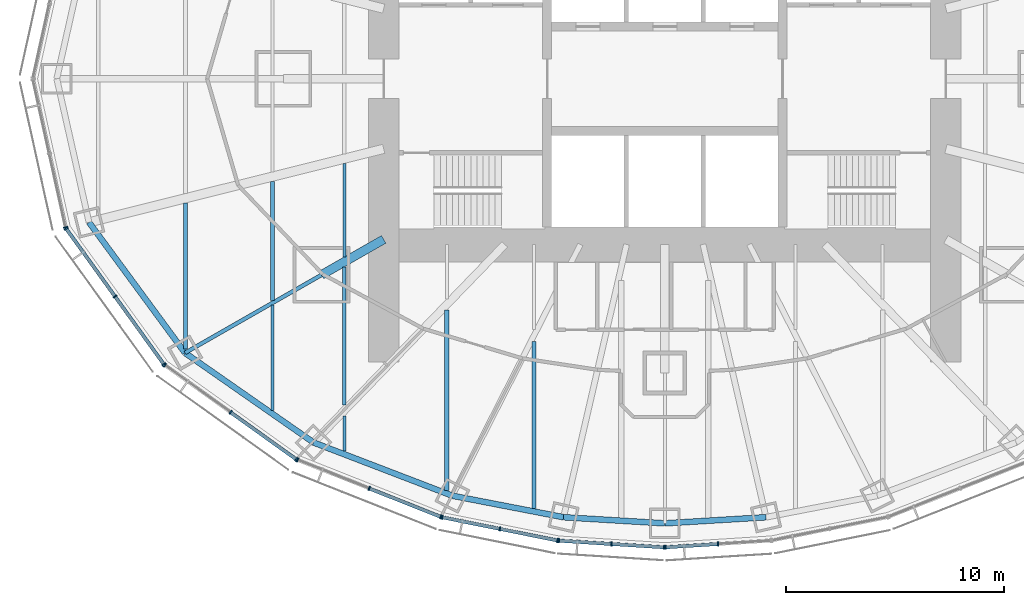
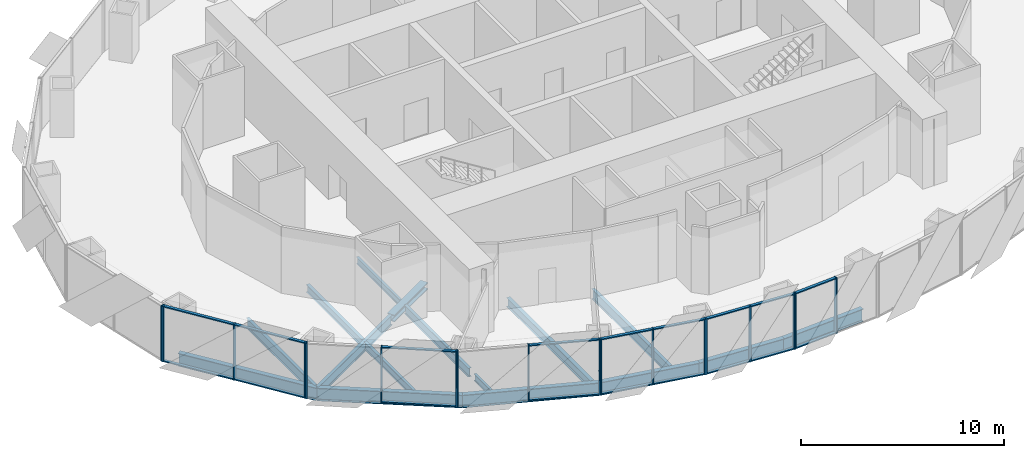
# One storey, part 2 of 18: 36 members, 16 beams, 7 elements without a shape of their own.
"""IFC4 building model written with IfcOpenShell, lengths in metres."""

from ifc_helpers import new_model, si_unit, direction, frame, origin, origin_2d, place, context, subcontext, project, spatial, rectangle, i_section, extrude, material, material_profile, profile_set, type_object, element, aggregate, save


model = new_model("IFC4")

# Units and contexts
model_context = context("Model", 3, precision=1e-05, world=origin(), true_north=direction((0.0, 1.0)))
body_context = subcontext(model_context, "Body", "Model", "MODEL_VIEW")
ifc_project = project(units=[si_unit("LENGTHUNIT", "METRE"), si_unit("AREAUNIT", "SQUARE_METRE"), si_unit("VOLUMEUNIT", "CUBIC_METRE"), si_unit("PLANEANGLEUNIT", "RADIAN"), si_unit("MASSUNIT", "GRAM", prefix="KILO")], contexts=[model_context])

# Site, building, storey
site_placement = place(None, origin())
site = spatial("IfcSite", under=ifc_project, at=site_placement, CompositionType="ELEMENT")
building_placement = place(site_placement, origin())
building = spatial("IfcBuilding", under=site, at=building_placement, Name="Lantaw Convention Tower", CompositionType="ELEMENT")
storey_placement = place(building_placement, frame((0.0, 0.0, 188.800048828125)))
storey = spatial("IfcBuildingStorey", under=building, at=storey_placement, Name="L44", CompositionType="ELEMENT", Elevation=188.800048828125)

# Beams
ifc_material_1 = material(Name="Steel ASTM A992", Category="steel")
ifc_material_profile_1 = material_profile(ifc_material_1, i_section(OverallWidth=0.2666015625, OverallDepth=0.76953125, WebThickness=0.015625, FlangeThickness=0.025390625, FilletRadius=0.0126953125, at=origin_2d()), Name="W30X132")
ifc_profile_set_1 = profile_set([ifc_material_profile_1], Name="Steel ASTM A992")
beam_type_1 = type_object("IfcBeamType", Name="Beam E W30X132", PredefinedType="SPANDREL", material=ifc_profile_set_1)
beam_1_placement = place(storey_placement, frame((-26.419921875, -6.587158203125, -0.534912109375), z_axis=(0.5923891972, -0.805651934176, 0.0), x_axis=(0.805651934176, 0.5923891972, 0.0)))
element("IfcBeam", 1, at=beam_1_placement, inside=storey, type_object=beam_type_1, Name="Edge beam 14", PredefinedType="SPANDREL", context=body_context, shape_type="SweptSolid", body=[
    extrude(i_section(OverallWidth=0.2666015625, OverallDepth=0.76953125, WebThickness=0.015625, FlangeThickness=0.025390625, FilletRadius=0.0126953125, at=origin_2d()), origin(), (0.0, 0.0, 1.0), 7.437744140625),
])
beam_2_placement = place(storey_placement, frame((-22.013916015625, -12.579345703125, -0.534912109375), z_axis=(0.820310765287, -0.57191804339, 0.0), x_axis=(0.57191804339, 0.820310765287, 0.0)))
element("IfcBeam", 2, at=beam_2_placement, inside=storey, type_object=beam_type_1, Name="Edge beam 15", PredefinedType="SPANDREL", context=body_context, shape_type="SweptSolid", body=[
    extrude(i_section(OverallWidth=0.2666015625, OverallDepth=0.76953125, WebThickness=0.015625, FlangeThickness=0.025390625, FilletRadius=0.0126953125, at=origin_2d()), origin(), (0.0, 0.0, 1.0), 7.187744140625),
])
beam_3_placement = place(storey_placement, frame((-16.11767578125, -16.690185546875, -0.534912109375), z_axis=(0.933691081977, -0.358079549033, 0.0), x_axis=(0.358079549033, 0.933691081977, 0.0)))
element("IfcBeam", 3, at=beam_3_placement, inside=storey, type_object=beam_type_1, Name="Edge beam 16", PredefinedType="SPANDREL", context=body_context, shape_type="SweptSolid", body=[
    extrude(i_section(OverallWidth=0.2666015625, OverallDepth=0.76953125, WebThickness=0.015625, FlangeThickness=0.025390625, FilletRadius=0.0126953125, at=origin_2d()), origin(), (0.0, 0.0, 1.0), 6.821533203125),
])
beam_4_placement = place(storey_placement, frame((-9.74853515625, -19.1328125, -0.534912109375), z_axis=(0.981796805654, -0.189934284446, 0.0), x_axis=(0.189934284446, 0.981796805654, 0.0)))
element("IfcBeam", 4, at=beam_4_placement, inside=storey, type_object=beam_type_1, Name="Edge beam 17", PredefinedType="SPANDREL", context=body_context, shape_type="SweptSolid", body=[
    extrude(i_section(OverallWidth=0.2666015625, OverallDepth=0.76953125, WebThickness=0.015625, FlangeThickness=0.025390625, FilletRadius=0.0126953125, at=origin_2d()), origin(), (0.0, 0.0, 1.0), 5.1982421875),
])
for number, where, z_axis, x_axis, name in (
    (5, (-4.64501953125, -20.1201171875, -0.534912109375), (0.998190892054, -0.06012439621, 0.0), (0.06012439621, 0.998190892054, 0.0), "Edge beam 18"),
    (6, (0.0, -20.39990234375, -0.534912109375), (0.998190892054, 0.06012439621, 0.0), (-0.06012439621, 0.998190892054, 0.0), "Edge beam 19"),
):
    element("IfcBeam", number, at=place(storey_placement, frame(where, z_axis=z_axis, x_axis=x_axis)), inside=storey, type_object=beam_type_1, Name=name, PredefinedType="SPANDREL", context=body_context, shape_type="SweptSolid", body=[
        extrude(i_section(OverallWidth=0.2666015625, OverallDepth=0.76953125, WebThickness=0.015625, FlangeThickness=0.025390625, FilletRadius=0.0126953125, at=origin_2d()), origin(), (0.0, 0.0, 1.0), 4.6533203125),
    ])
ifc_material_profile_2 = material_profile(ifc_material_1, i_section(OverallWidth=0.177978515625, OverallDepth=0.599365234375, WebThickness=0.010009765625, FlangeThickness=0.012939453125, FilletRadius=0.012939453125, at=origin_2d()), Name="W24X55")
ifc_profile_set_2 = profile_set([ifc_material_profile_2], Name="Steel ASTM A992")
beam_type_2 = type_object("IfcBeamType", Name="Beam G W24X55", PredefinedType="BEAM", material=ifc_profile_set_2)
beam_5_placement = place(storey_placement, frame((-15.75, -9.0, -0.44970703125), z_axis=(-0.868245224608, -0.496135293993, 0.0), x_axis=(0.496135293993, -0.868245224608, 0.0)))
element("IfcBeam", 7, at=beam_5_placement, inside=storey, type_object=beam_type_2, Name="Floor girder on ray 15", PredefinedType="BEAM", context=body_context, shape_type="SweptSolid", body=[
    extrude(i_section(OverallWidth=0.177978515625, OverallDepth=0.599365234375, WebThickness=0.010009765625, FlangeThickness=0.012939453125, FilletRadius=0.012939453125, at=origin_2d()), origin(), (0.0, 0.0, 1.0), 7.21435546875),
])
ifc_material_profile_3 = material_profile(ifc_material_1, i_section(OverallWidth=0.40380859375, OverallDepth=0.406494140625, WebThickness=0.027099609375, FlangeThickness=0.043701171875, FilletRadius=0.01513671875, at=origin_2d()), Name="W14X233")
ifc_profile_set_3 = profile_set([ifc_material_profile_3], Name="Steel ASTM A992")
beam_type_3 = type_object("IfcBeamType", Name="Beam GM W14X233", PredefinedType="BEAM", material=ifc_profile_set_3)
beam_6_placement = place(storey_placement, frame((-12.89990234375, -7.371337890625, -0.353271484375), z_axis=(-0.868238565244, -0.496146947811, 0.0), x_axis=(0.496146947811, -0.868238565244, 0.0)))
element("IfcBeam", 8, at=beam_6_placement, inside=storey, type_object=beam_type_3, Name="Core link beam on ray 15", PredefinedType="BEAM", context=body_context, shape_type="SweptSolid", body=[
    extrude(i_section(OverallWidth=0.40380859375, OverallDepth=0.406494140625, WebThickness=0.027099609375, FlangeThickness=0.043701171875, FilletRadius=0.01513671875, at=origin_2d()), origin(), (0.0, 0.0, 1.0), 3.28271484375),
])
ifc_material_profile_4 = material_profile(ifc_material_1, i_section(OverallWidth=0.140380859375, OverallDepth=0.40380859375, WebThickness=0.007080078125, FlangeThickness=0.01123046875, FilletRadius=0.01025390625, at=origin_2d()), Name="W16X31")
ifc_profile_set_4 = profile_set([ifc_material_profile_4], Name="Steel ASTM A992")
beam_type_4 = type_object("IfcBeamType", Name="Beam J W16X31", PredefinedType="JOIST", material=ifc_profile_set_4)
beam_7_placement = place(storey_placement, frame((-14.699951171875, -17.091064453125, -0.35205078125), z_axis=(0.0, 1.0, 0.0), x_axis=(-1.0, 0.0, 0.0)))
element("IfcBeam", 9, at=beam_7_placement, inside=storey, type_object=beam_type_4, Name="Floor joist", PredefinedType="JOIST", context=body_context, shape_type="SweptSolid", body=[
    extrude(i_section(OverallWidth=0.140380859375, OverallDepth=0.40380859375, WebThickness=0.007080078125, FlangeThickness=0.01123046875, FilletRadius=0.01025390625, at=origin_2d()), origin(), (0.0, 0.0, 1.0), 1.609130859375),
])
beam_8_placement = place(storey_placement, frame((-14.699951171875, -8.16748046875, -0.35205078125), z_axis=(0.0, 1.0, 0.0), x_axis=(-1.0, 0.0, 0.0)))
element("IfcBeam", 10, at=beam_8_placement, inside=storey, type_object=beam_type_4, Name="Floor joist", PredefinedType="JOIST", context=body_context, shape_type="SweptSolid", body=[
    extrude(i_section(OverallWidth=0.140380859375, OverallDepth=0.40380859375, WebThickness=0.007080078125, FlangeThickness=0.01123046875, FilletRadius=0.01025390625, at=origin_2d()), origin(), (0.0, 0.0, 1.0), 4.28515625),
])
ifc_material_profile_5 = material_profile(ifc_material_1, i_section(OverallWidth=0.15234375, OverallDepth=0.449462890625, WebThickness=0.007568359375, FlangeThickness=0.0107421875, FilletRadius=0.01025390625, at=origin_2d()), Name="W18X35")
ifc_profile_set_5 = profile_set([ifc_material_profile_5], Name="Steel ASTM A992")
beam_type_5 = type_object("IfcBeamType", Name="Beam J W18X35", PredefinedType="JOIST", material=ifc_profile_set_5)
beam_9_placement = place(storey_placement, frame((-18.0, -15.21533203125, -0.374755859375), z_axis=(0.0, 1.0, 0.0), x_axis=(-1.0, 0.0, 0.0)))
element("IfcBeam", 11, at=beam_9_placement, inside=storey, type_object=beam_type_5, Name="Floor joist", PredefinedType="JOIST", context=body_context, shape_type="SweptSolid", body=[
    extrude(i_section(OverallWidth=0.15234375, OverallDepth=0.449462890625, WebThickness=0.007568359375, FlangeThickness=0.0107421875, FilletRadius=0.01025390625, at=origin_2d()), origin(), (0.0, 0.0, 1.0), 4.8271484375),
])
ifc_material_profile_6 = material_profile(ifc_material_1, i_section(OverallWidth=0.1904296875, OverallDepth=0.457275390625, WebThickness=0.009033203125, FlangeThickness=0.014404296875, FilletRadius=0.01025390625, at=origin_2d()), Name="W18X50")
ifc_profile_set_6 = profile_set([ifc_material_profile_6], Name="Steel ASTM A992")
beam_type_6 = type_object("IfcBeamType", Name="Beam J W18X50", PredefinedType="JOIST", material=ifc_profile_set_6)
beam_10_placement = place(storey_placement, frame((-18.0, -10.18310546875, -0.378662109375), z_axis=(0.0, 1.0, 0.0), x_axis=(-1.0, 0.0, 0.0)))
element("IfcBeam", 12, at=beam_10_placement, inside=storey, type_object=beam_type_6, Name="Floor joist", PredefinedType="JOIST", context=body_context, shape_type="SweptSolid", body=[
    extrude(i_section(OverallWidth=0.1904296875, OverallDepth=0.457275390625, WebThickness=0.009033203125, FlangeThickness=0.014404296875, FilletRadius=0.01025390625, at=origin_2d()), origin(), (0.0, 0.0, 1.0), 5.47802734375),
])
ifc_material_profile_7 = material_profile(ifc_material_1, i_section(OverallWidth=0.1650390625, OverallDepth=0.52587890625, WebThickness=0.0087890625, FlangeThickness=0.011474609375, FilletRadius=0.0126953125, at=origin_2d()), Name="W21X44")
ifc_profile_set_7 = profile_set([ifc_material_profile_7], Name="Steel ASTM A992")
beam_type_7 = type_object("IfcBeamType", Name="Beam J W21X44", PredefinedType="JOIST", material=ifc_profile_set_7)
beam_11_placement = place(storey_placement, frame((-14.699951171875, -14.962646484375, -0.412841796875), z_axis=(0.0, 1.0, 0.0), x_axis=(-1.0, 0.0, 0.0)))
element("IfcBeam", 13, at=beam_11_placement, inside=storey, type_object=beam_type_7, Name="Floor joist", PredefinedType="JOIST", context=body_context, shape_type="SweptSolid", body=[
    extrude(i_section(OverallWidth=0.1650390625, OverallDepth=0.52587890625, WebThickness=0.0087890625, FlangeThickness=0.011474609375, FilletRadius=0.0126953125, at=origin_2d()), origin(), (0.0, 0.0, 1.0), 6.330078125),
])
ifc_material_profile_8 = material_profile(ifc_material_1, i_section(OverallWidth=0.2099609375, OverallDepth=0.535888671875, WebThickness=0.010986328125, FlangeThickness=0.017333984375, FilletRadius=0.012939453125, at=origin_2d()), Name="W21X68")
ifc_profile_set_8 = profile_set([ifc_material_profile_8], Name="Steel ASTM A992")
beam_type_8 = type_object("IfcBeamType", Name="Beam J W21X68", PredefinedType="JOIST", material=ifc_profile_set_8)
beam_12_placement = place(storey_placement, frame((-10.0, -18.8935546875, -0.41796875), z_axis=(0.0, 1.0, 0.0), x_axis=(-1.0, 0.0, 0.0)))
element("IfcBeam", 14, at=beam_12_placement, inside=storey, type_object=beam_type_8, Name="Floor joist", PredefinedType="JOIST", context=body_context, shape_type="SweptSolid", body=[
    extrude(i_section(OverallWidth=0.2099609375, OverallDepth=0.535888671875, WebThickness=0.010986328125, FlangeThickness=0.017333984375, FilletRadius=0.012939453125, at=origin_2d()), origin(), (0.0, 0.0, 1.0), 8.278564453125),
])
ifc_material_profile_9 = material_profile(ifc_material_1, i_section(OverallWidth=0.177978515625, OverallDepth=0.599365234375, WebThickness=0.010009765625, FlangeThickness=0.012939453125, FilletRadius=0.012939453125, at=origin_2d()), Name="W24X55")
ifc_profile_set_9 = profile_set([ifc_material_profile_9], Name="Steel ASTM A992")
beam_type_9 = type_object("IfcBeamType", Name="Beam J W24X55", PredefinedType="JOIST", material=ifc_profile_set_9)
beam_13_placement = place(storey_placement, frame((-22.0, -12.408935546875, -0.44970703125), z_axis=(0.0, 1.0, 0.0), x_axis=(-1.0, 0.0, 0.0)))
element("IfcBeam", 15, at=beam_13_placement, inside=storey, type_object=beam_type_9, Name="Floor joist", PredefinedType="JOIST", context=body_context, shape_type="SweptSolid", body=[
    extrude(i_section(OverallWidth=0.177978515625, OverallDepth=0.599365234375, WebThickness=0.010009765625, FlangeThickness=0.012939453125, FilletRadius=0.012939453125, at=origin_2d()), origin(), (0.0, 0.0, 1.0), 6.70654296875),
])
beam_14_placement = place(storey_placement, frame((-6.0, -19.72216796875, -0.44970703125), z_axis=(0.0, 1.0, 0.0), x_axis=(-1.0, 0.0, 0.0)))
element("IfcBeam", 16, at=beam_14_placement, inside=storey, type_object=beam_type_9, Name="Floor joist", PredefinedType="JOIST", context=body_context, shape_type="SweptSolid", body=[
    extrude(i_section(OverallWidth=0.177978515625, OverallDepth=0.599365234375, WebThickness=0.010009765625, FlangeThickness=0.012939453125, FilletRadius=0.012939453125, at=origin_2d()), origin(), (0.0, 0.0, 1.0), 7.666748046875),
])

# Curtain wall, member
ifc_material_2 = material(Name="Aluminium framed curtain wall", Category="aluminium")
curtain_wall_type = type_object("IfcCurtainWallType", Name="Office curtain wall low rise, pale aluminium", PredefinedType="USERDEFINED", material=ifc_material_2)
curtain_wall_1_placement = place(storey_placement, origin())
curtain_wall_1 = element("IfcCurtainWall", 17, at=curtain_wall_1_placement, inside=storey, type_object=curtain_wall_type, Name="Office curtain wall low rise, pale aluminium L44", ObjectType="UNITISED CURTAIN WALL", PredefinedType="USERDEFINED")
ifc_material_3 = material(Name="Aluminium 6063-T6", Category="aluminium")
ifc_material_profile_10 = material_profile(ifc_material_3, rectangle(XDim=0.199951171875, YDim=0.06494140625, at=origin_2d()), Name="CW-O1 mullion 65x200")
ifc_profile_set_10 = profile_set([ifc_material_profile_10], Name="Aluminium 6063-T6")
member_type_1 = type_object("IfcMemberType", Name="CW-O1 mullion 65x200", PredefinedType="MULLION", material=ifc_profile_set_10)
member_1_placement = place(storey_placement, frame((-27.494140625, -6.821533203125, -0.150146484375), z_axis=(0.0, 0.0, 1.0), x_axis=(0.9764936509, 0.215546166174, 0.0)))
member_1 = element("IfcMember", 18, at=member_1_placement, type_object=member_type_1, Name="CW-O1 mullion 3", PredefinedType="MULLION", context=body_context, shape_type="SweptSolid", body=[
    extrude(rectangle(XDim=0.199951171875, YDim=0.06494140625, at=origin_2d()), origin(), (0.0, 0.0, 1.0), 3.35009765625),
])
aggregate(curtain_wall_1, [member_1])

# Curtain wall, members
curtain_wall_2_placement = place(storey_placement, origin())
curtain_wall_2 = element("IfcCurtainWall", 19, at=curtain_wall_2_placement, inside=storey, type_object=curtain_wall_type, Name="Office curtain wall low rise, pale aluminium L44", ObjectType="UNITISED CURTAIN WALL", PredefinedType="USERDEFINED")
member_2_placement = place(storey_placement, frame((-27.46826171875, -6.879638671875, -0.150146484375), z_axis=(0.0, 0.0, 1.0), x_axis=(0.811384633629, 0.584512597221, 0.0)))
member_2 = element("IfcMember", 20, at=member_2_placement, type_object=member_type_1, Name="CW-O1 mullion 1", PredefinedType="MULLION", context=body_context, shape_type="SweptSolid", body=[
    extrude(rectangle(XDim=0.199951171875, YDim=0.06494140625, at=origin_2d()), origin(), (0.0, 0.0, 1.0), 3.35009765625),
])
member_3_placement = place(storey_placement, frame((-25.22802734375, -9.9892578125, -0.150146484375), z_axis=(0.0, 0.0, 1.0), x_axis=(0.811384633629, 0.584512597221, 0.0)))
member_3 = element("IfcMember", 21, at=member_3_placement, type_object=member_type_1, Name="CW-O1 mullion 2", PredefinedType="MULLION", context=body_context, shape_type="SweptSolid", body=[
    extrude(rectangle(XDim=0.199951171875, YDim=0.06494140625, at=origin_2d()), origin(), (0.0, 0.0, 1.0), 3.35009765625),
])
member_4_placement = place(storey_placement, frame((-22.988037109375, -13.098876953125, -0.150146484375), z_axis=(0.0, 0.0, 1.0), x_axis=(0.811384633629, 0.584512597221, 0.0)))
member_4 = element("IfcMember", 22, at=member_4_placement, type_object=member_type_1, Name="CW-O1 mullion 3", PredefinedType="MULLION", context=body_context, shape_type="SweptSolid", body=[
    extrude(rectangle(XDim=0.199951171875, YDim=0.06494140625, at=origin_2d()), origin(), (0.0, 0.0, 1.0), 3.35009765625),
])

curtain_wall_3_placement = place(storey_placement, origin())
curtain_wall_3 = element("IfcCurtainWall", 23, at=curtain_wall_3_placement, inside=storey, type_object=curtain_wall_type, Name="Office curtain wall low rise, pale aluminium L44", ObjectType="UNITISED CURTAIN WALL", PredefinedType="USERDEFINED")
member_5_placement = place(storey_placement, frame((-22.942626953125, -13.14404296875, -0.150146484375), z_axis=(0.0, 0.0, 1.0), x_axis=(0.581972695693, 0.813208325995, 0.0)))
member_5 = element("IfcMember", 24, at=member_5_placement, type_object=member_type_1, Name="CW-O1 mullion 1", PredefinedType="MULLION", context=body_context, shape_type="SweptSolid", body=[
    extrude(rectangle(XDim=0.199951171875, YDim=0.06494140625, at=origin_2d()), origin(), (0.0, 0.0, 1.0), 3.35009765625),
])
member_6_placement = place(storey_placement, frame((-19.92529296875, -15.303466796875, -0.150146484375), z_axis=(0.0, 0.0, 1.0), x_axis=(0.581972695693, 0.813208325995, 0.0)))
member_6 = element("IfcMember", 25, at=member_6_placement, type_object=member_type_1, Name="CW-O1 mullion 2", PredefinedType="MULLION", context=body_context, shape_type="SweptSolid", body=[
    extrude(rectangle(XDim=0.199951171875, YDim=0.06494140625, at=origin_2d()), origin(), (0.0, 0.0, 1.0), 3.35009765625),
])
member_7_placement = place(storey_placement, frame((-16.908203125, -17.462646484375, -0.150146484375), z_axis=(0.0, 0.0, 1.0), x_axis=(0.581972695693, 0.813208325995, 0.0)))
member_7 = element("IfcMember", 26, at=member_7_placement, type_object=member_type_1, Name="CW-O1 mullion 3", PredefinedType="MULLION", context=body_context, shape_type="SweptSolid", body=[
    extrude(rectangle(XDim=0.199951171875, YDim=0.06494140625, at=origin_2d()), origin(), (0.0, 0.0, 1.0), 3.35009765625),
])

curtain_wall_4_placement = place(storey_placement, origin())
curtain_wall_4 = element("IfcCurtainWall", 27, at=curtain_wall_4_placement, inside=storey, type_object=curtain_wall_type, Name="Office curtain wall low rise, pale aluminium L44", ObjectType="UNITISED CURTAIN WALL", PredefinedType="USERDEFINED")
member_8_placement = place(storey_placement, frame((-16.8515625, -17.49365234375, -0.150146484375), z_axis=(0.0, 0.0, 1.0), x_axis=(0.368701907483, 0.929547687544, 0.0)))
member_8 = element("IfcMember", 28, at=member_8_placement, type_object=member_type_1, Name="CW-O1 mullion 1", PredefinedType="MULLION", context=body_context, shape_type="SweptSolid", body=[
    extrude(rectangle(XDim=0.199951171875, YDim=0.06494140625, at=origin_2d()), origin(), (0.0, 0.0, 1.0), 3.35009765625),
])
member_9_placement = place(storey_placement, frame((-13.56494140625, -18.797119140625, -0.150146484375), z_axis=(0.0, 0.0, 1.0), x_axis=(0.368701907483, 0.929547687544, 0.0)))
member_9 = element("IfcMember", 29, at=member_9_placement, type_object=member_type_1, Name="CW-O1 mullion 2", PredefinedType="MULLION", context=body_context, shape_type="SweptSolid", body=[
    extrude(rectangle(XDim=0.199951171875, YDim=0.06494140625, at=origin_2d()), origin(), (0.0, 0.0, 1.0), 3.35009765625),
])
member_10_placement = place(storey_placement, frame((-10.2783203125, -20.100830078125, -0.150146484375), z_axis=(0.0, 0.0, 1.0), x_axis=(0.368701907483, 0.929547687544, 0.0)))
member_10 = element("IfcMember", 30, at=member_10_placement, type_object=member_type_1, Name="CW-O1 mullion 3", PredefinedType="MULLION", context=body_context, shape_type="SweptSolid", body=[
    extrude(rectangle(XDim=0.199951171875, YDim=0.06494140625, at=origin_2d()), origin(), (0.0, 0.0, 1.0), 3.35009765625),
])

curtain_wall_5_placement = place(storey_placement, origin())
curtain_wall_5 = element("IfcCurtainWall", 31, at=curtain_wall_5_placement, inside=storey, type_object=curtain_wall_type, Name="Office curtain wall low rise, pale aluminium L44", ObjectType="UNITISED CURTAIN WALL", PredefinedType="USERDEFINED")
member_11_placement = place(storey_placement, frame((-10.216064453125, -20.119140625, -0.150146484375), z_axis=(0.0, 0.0, 1.0), x_axis=(0.197506809659, 0.980301514912, 0.0)))
member_11 = element("IfcMember", 32, at=member_11_placement, type_object=member_type_1, Name="CW-O1 mullion 1", PredefinedType="MULLION", context=body_context, shape_type="SweptSolid", body=[
    extrude(rectangle(XDim=0.199951171875, YDim=0.06494140625, at=origin_2d()), origin(), (0.0, 0.0, 1.0), 3.35009765625),
])
member_12_placement = place(storey_placement, frame((-7.5703125, -20.65234375, -0.150146484375), z_axis=(0.0, 0.0, 1.0), x_axis=(0.197506809659, 0.980301514912, 0.0)))
member_12 = element("IfcMember", 33, at=member_12_placement, type_object=member_type_1, Name="CW-O1 mullion 2", PredefinedType="MULLION", context=body_context, shape_type="SweptSolid", body=[
    extrude(rectangle(XDim=0.199951171875, YDim=0.06494140625, at=origin_2d()), origin(), (0.0, 0.0, 1.0), 3.35009765625),
])
member_13_placement = place(storey_placement, frame((-4.92431640625, -21.185302734375, -0.150146484375), z_axis=(0.0, 0.0, 1.0), x_axis=(0.197506809659, 0.980301514912, 0.0)))
member_13 = element("IfcMember", 34, at=member_13_placement, type_object=member_type_1, Name="CW-O1 mullion 3", PredefinedType="MULLION", context=body_context, shape_type="SweptSolid", body=[
    extrude(rectangle(XDim=0.199951171875, YDim=0.06494140625, at=origin_2d()), origin(), (0.0, 0.0, 1.0), 3.35009765625),
])

curtain_wall_6_placement = place(storey_placement, origin())
curtain_wall_6 = element("IfcCurtainWall", 35, at=curtain_wall_6_placement, inside=storey, type_object=curtain_wall_type, Name="Office curtain wall low rise, pale aluminium L44", ObjectType="UNITISED CURTAIN WALL", PredefinedType="USERDEFINED")
member_14_placement = place(storey_placement, frame((-4.860107421875, -21.19384765625, -0.150146484375), z_axis=(0.0, 0.0, 1.0), x_axis=(0.062865059466, 0.998022035978, 0.0)))
member_14 = element("IfcMember", 36, at=member_14_placement, type_object=member_type_1, Name="CW-O1 mullion 1", PredefinedType="MULLION", context=body_context, shape_type="SweptSolid", body=[
    extrude(rectangle(XDim=0.199951171875, YDim=0.06494140625, at=origin_2d()), origin(), (0.0, 0.0, 1.0), 3.35009765625),
])
member_15_placement = place(storey_placement, frame((-2.4462890625, -21.345947265625, -0.150146484375), z_axis=(0.0, 0.0, 1.0), x_axis=(0.062865059466, 0.998022035978, 0.0)))
member_15 = element("IfcMember", 37, at=member_15_placement, type_object=member_type_1, Name="CW-O1 mullion 2", PredefinedType="MULLION", context=body_context, shape_type="SweptSolid", body=[
    extrude(rectangle(XDim=0.199951171875, YDim=0.06494140625, at=origin_2d()), origin(), (0.0, 0.0, 1.0), 3.35009765625),
])
member_16_placement = place(storey_placement, frame((-0.032470703125, -21.498046875, -0.150146484375), z_axis=(0.0, 0.0, 1.0), x_axis=(0.062865059466, 0.998022035978, 0.0)))
member_16 = element("IfcMember", 38, at=member_16_placement, type_object=member_type_1, Name="CW-O1 mullion 3", PredefinedType="MULLION", context=body_context, shape_type="SweptSolid", body=[
    extrude(rectangle(XDim=0.199951171875, YDim=0.06494140625, at=origin_2d()), origin(), (0.0, 0.0, 1.0), 3.35009765625),
])

curtain_wall_7_placement = place(storey_placement, origin())
curtain_wall_7 = element("IfcCurtainWall", 39, at=curtain_wall_7_placement, inside=storey, type_object=curtain_wall_type, Name="Office curtain wall low rise, pale aluminium L44", ObjectType="UNITISED CURTAIN WALL", PredefinedType="USERDEFINED")
member_17_placement = place(storey_placement, frame((0.032470703125, -21.498046875, -0.150146484375), z_axis=(0.0, 0.0, 1.0), x_axis=(-0.062865059466, 0.998022035978, 0.0)))
member_17 = element("IfcMember", 40, at=member_17_placement, type_object=member_type_1, Name="CW-O1 mullion 1", PredefinedType="MULLION", context=body_context, shape_type="SweptSolid", body=[
    extrude(rectangle(XDim=0.199951171875, YDim=0.06494140625, at=origin_2d()), origin(), (0.0, 0.0, 1.0), 3.35009765625),
])
member_18_placement = place(storey_placement, frame((2.4462890625, -21.345947265625, -0.150146484375), z_axis=(0.0, 0.0, 1.0), x_axis=(-0.062865059466, 0.998022035978, 0.0)))
member_18 = element("IfcMember", 41, at=member_18_placement, type_object=member_type_1, Name="CW-O1 mullion 2", PredefinedType="MULLION", context=body_context, shape_type="SweptSolid", body=[
    extrude(rectangle(XDim=0.199951171875, YDim=0.06494140625, at=origin_2d()), origin(), (0.0, 0.0, 1.0), 3.35009765625),
])

# Member
ifc_material_profile_11 = material_profile(ifc_material_3, rectangle(XDim=0.159912109375, YDim=0.06494140625, at=origin_2d()), Name="CW-O1 transom 65x160")
ifc_profile_set_11 = profile_set([ifc_material_profile_11], Name="Aluminium 6063-T6")
member_type_2 = type_object("IfcMemberType", Name="CW-O1 transom 65x160", PredefinedType="USERDEFINED", material=ifc_profile_set_11)
member_19_placement = place(storey_placement, frame((-27.44921875, -6.906005859375, -0.117431640625), z_axis=(0.584512973979, -0.811384362217, 0.0), x_axis=(0.811384362217, 0.584512973979, 0.0)))
member_19 = element("IfcMember", 42, at=member_19_placement, type_object=member_type_2, Name="CW-O1 transom 1.1", ObjectType="TRANSOM", PredefinedType="USERDEFINED", context=body_context, shape_type="SweptSolid", body=[
    extrude(rectangle(XDim=0.159912109375, YDim=0.06494140625, at=origin_2d()), origin(), (0.0, 0.0, 1.0), 3.767578125),
])

member_20_placement = place(storey_placement, frame((-27.44921875, -6.906005859375, 3.16748046875), z_axis=(0.584512973979, -0.811384362217, 0.0), x_axis=(0.811384362217, 0.584512973979, 0.0)))
member_20 = element("IfcMember", 43, at=member_20_placement, type_object=member_type_2, Name="CW-O1 transom 1.2", ObjectType="TRANSOM", PredefinedType="USERDEFINED", context=body_context, shape_type="SweptSolid", body=[
    extrude(rectangle(XDim=0.159912109375, YDim=0.06494140625, at=origin_2d()), origin(), (0.0, 0.0, 1.0), 3.767578125),
])

member_21_placement = place(storey_placement, frame((-25.209228515625, -10.015625, -0.117431640625), z_axis=(0.584512973979, -0.811384362217, 0.0), x_axis=(0.811384362217, 0.584512973979, 0.0)))
member_21 = element("IfcMember", 44, at=member_21_placement, type_object=member_type_2, Name="CW-O1 transom 2.1", ObjectType="TRANSOM", PredefinedType="USERDEFINED", context=body_context, shape_type="SweptSolid", body=[
    extrude(rectangle(XDim=0.159912109375, YDim=0.06494140625, at=origin_2d()), origin(), (0.0, 0.0, 1.0), 3.767578125),
])

member_22_placement = place(storey_placement, frame((-25.209228515625, -10.015625, 3.16748046875), z_axis=(0.584512973979, -0.811384362217, 0.0), x_axis=(0.811384362217, 0.584512973979, 0.0)))
member_22 = element("IfcMember", 45, at=member_22_placement, type_object=member_type_2, Name="CW-O1 transom 2.2", ObjectType="TRANSOM", PredefinedType="USERDEFINED", context=body_context, shape_type="SweptSolid", body=[
    extrude(rectangle(XDim=0.159912109375, YDim=0.06494140625, at=origin_2d()), origin(), (0.0, 0.0, 1.0), 3.767578125),
])

aggregate(curtain_wall_2, [member_2, member_3, member_4, member_19, member_20, member_21, member_22])

member_23_placement = place(storey_placement, frame((-19.89892578125, -15.322265625, -0.117431640625), z_axis=(0.813190089133, -0.581998177777, 0.0), x_axis=(0.581998177777, 0.813190089133, 0.0)))
member_23 = element("IfcMember", 46, at=member_23_placement, type_object=member_type_2, Name="CW-O1 transom 2.1", ObjectType="TRANSOM", PredefinedType="USERDEFINED", context=body_context, shape_type="SweptSolid", body=[
    extrude(rectangle(XDim=0.159912109375, YDim=0.06494140625, at=origin_2d()), origin(), (0.0, 0.0, 1.0), 3.645263671875),
])

member_24_placement = place(storey_placement, frame((-19.89892578125, -15.322265625, 3.16748046875), z_axis=(0.813190089133, -0.581998177777, 0.0), x_axis=(0.581998177777, 0.813190089133, 0.0)))
member_24 = element("IfcMember", 47, at=member_24_placement, type_object=member_type_2, Name="CW-O1 transom 2.2", ObjectType="TRANSOM", PredefinedType="USERDEFINED", context=body_context, shape_type="SweptSolid", body=[
    extrude(rectangle(XDim=0.159912109375, YDim=0.06494140625, at=origin_2d()), origin(), (0.0, 0.0, 1.0), 3.645263671875),
])

aggregate(curtain_wall_3, [member_5, member_6, member_7, member_23, member_24])

member_25_placement = place(storey_placement, frame((-13.53466796875, -18.80908203125, -0.117431640625), z_axis=(0.929540081544, -0.368721082668, 0.0), x_axis=(0.368721082668, 0.929540081544, 0.0)))
member_25 = element("IfcMember", 48, at=member_25_placement, type_object=member_type_2, Name="CW-O1 transom 2.1", ObjectType="TRANSOM", PredefinedType="USERDEFINED", context=body_context, shape_type="SweptSolid", body=[
    extrude(rectangle(XDim=0.159912109375, YDim=0.06494140625, at=origin_2d()), origin(), (0.0, 0.0, 1.0), 3.470947265625),
])

member_26_placement = place(storey_placement, frame((-13.53466796875, -18.80908203125, 3.16748046875), z_axis=(0.929540081544, -0.368721082668, 0.0), x_axis=(0.368721082668, 0.929540081544, 0.0)))
member_26 = element("IfcMember", 49, at=member_26_placement, type_object=member_type_2, Name="CW-O1 transom 2.2", ObjectType="TRANSOM", PredefinedType="USERDEFINED", context=body_context, shape_type="SweptSolid", body=[
    extrude(rectangle(XDim=0.159912109375, YDim=0.06494140625, at=origin_2d()), origin(), (0.0, 0.0, 1.0), 3.470947265625),
])

aggregate(curtain_wall_4, [member_8, member_9, member_10, member_25, member_26])

member_27_placement = place(storey_placement, frame((-10.184326171875, -20.125732421875, -0.117431640625), z_axis=(0.980301643003, -0.197506173891, 0.0), x_axis=(0.197506173891, 0.980301643003, 0.0)))
member_27 = element("IfcMember", 50, at=member_27_placement, type_object=member_type_2, Name="CW-O1 transom 1.1", ObjectType="TRANSOM", PredefinedType="USERDEFINED", context=body_context, shape_type="SweptSolid", body=[
    extrude(rectangle(XDim=0.159912109375, YDim=0.06494140625, at=origin_2d()), origin(), (0.0, 0.0, 1.0), 2.63427734375),
])

member_28_placement = place(storey_placement, frame((-10.184326171875, -20.125732421875, 3.16748046875), z_axis=(0.980301643003, -0.197506173891, 0.0), x_axis=(0.197506173891, 0.980301643003, 0.0)))
member_28 = element("IfcMember", 51, at=member_28_placement, type_object=member_type_2, Name="CW-O1 transom 1.2", ObjectType="TRANSOM", PredefinedType="USERDEFINED", context=body_context, shape_type="SweptSolid", body=[
    extrude(rectangle(XDim=0.159912109375, YDim=0.06494140625, at=origin_2d()), origin(), (0.0, 0.0, 1.0), 2.63427734375),
])

member_29_placement = place(storey_placement, frame((-7.538330078125, -20.65869140625, -0.117431640625), z_axis=(0.980298027092, -0.197524120247, 0.0), x_axis=(0.197524120247, 0.980298027092, 0.0)))
member_29 = element("IfcMember", 52, at=member_29_placement, type_object=member_type_2, Name="CW-O1 transom 2.1", ObjectType="TRANSOM", PredefinedType="USERDEFINED", context=body_context, shape_type="SweptSolid", body=[
    extrude(rectangle(XDim=0.159912109375, YDim=0.06494140625, at=origin_2d()), origin(), (0.0, 0.0, 1.0), 2.634033203125),
])

member_30_placement = place(storey_placement, frame((-7.538330078125, -20.65869140625, 3.16748046875), z_axis=(0.980298027092, -0.197524120247, 0.0), x_axis=(0.197524120247, 0.980298027092, 0.0)))
member_30 = element("IfcMember", 53, at=member_30_placement, type_object=member_type_2, Name="CW-O1 transom 2.2", ObjectType="TRANSOM", PredefinedType="USERDEFINED", context=body_context, shape_type="SweptSolid", body=[
    extrude(rectangle(XDim=0.159912109375, YDim=0.06494140625, at=origin_2d()), origin(), (0.0, 0.0, 1.0), 2.634033203125),
])

aggregate(curtain_wall_5, [member_11, member_12, member_13, member_27, member_28, member_29, member_30])

member_31_placement = place(storey_placement, frame((-4.82763671875, -21.19580078125, -0.117431640625), z_axis=(0.998022188463, -0.062862638625, 0.0), x_axis=(0.062862638625, 0.998022188463, 0.0)))
member_31 = element("IfcMember", 54, at=member_31_placement, type_object=member_type_2, Name="CW-O1 transom 1.1", ObjectType="TRANSOM", PredefinedType="USERDEFINED", context=body_context, shape_type="SweptSolid", body=[
    extrude(rectangle(XDim=0.159912109375, YDim=0.06494140625, at=origin_2d()), origin(), (0.0, 0.0, 1.0), 2.353515625),
])

member_32_placement = place(storey_placement, frame((-4.82763671875, -21.19580078125, 3.16748046875), z_axis=(0.998022188463, -0.062862638625, 0.0), x_axis=(0.062862638625, 0.998022188463, 0.0)))
member_32 = element("IfcMember", 55, at=member_32_placement, type_object=member_type_2, Name="CW-O1 transom 1.2", ObjectType="TRANSOM", PredefinedType="USERDEFINED", context=body_context, shape_type="SweptSolid", body=[
    extrude(rectangle(XDim=0.159912109375, YDim=0.06494140625, at=origin_2d()), origin(), (0.0, 0.0, 1.0), 2.353515625),
])

member_33_placement = place(storey_placement, frame((-2.413818359375, -21.347900390625, -0.117431640625), z_axis=(0.998022188463, -0.062862638625, 0.0), x_axis=(0.062862638625, 0.998022188463, 0.0)))
member_33 = element("IfcMember", 56, at=member_33_placement, type_object=member_type_2, Name="CW-O1 transom 2.1", ObjectType="TRANSOM", PredefinedType="USERDEFINED", context=body_context, shape_type="SweptSolid", body=[
    extrude(rectangle(XDim=0.159912109375, YDim=0.06494140625, at=origin_2d()), origin(), (0.0, 0.0, 1.0), 2.353515625),
])

member_34_placement = place(storey_placement, frame((-2.413818359375, -21.347900390625, 3.16748046875), z_axis=(0.998022188463, -0.062862638625, 0.0), x_axis=(0.062862638625, 0.998022188463, 0.0)))
member_34 = element("IfcMember", 57, at=member_34_placement, type_object=member_type_2, Name="CW-O1 transom 2.2", ObjectType="TRANSOM", PredefinedType="USERDEFINED", context=body_context, shape_type="SweptSolid", body=[
    extrude(rectangle(XDim=0.159912109375, YDim=0.06494140625, at=origin_2d()), origin(), (0.0, 0.0, 1.0), 2.353515625),
])

aggregate(curtain_wall_6, [member_14, member_15, member_16, member_31, member_32, member_33, member_34])

member_35_placement = place(storey_placement, frame((0.06494140625, -21.495849609375, -0.117431640625), z_axis=(0.998022188463, 0.062862638625, 0.0), x_axis=(-0.062862638625, 0.998022188463, 0.0)))
member_35 = element("IfcMember", 58, at=member_35_placement, type_object=member_type_2, Name="CW-O1 transom 1.1", ObjectType="TRANSOM", PredefinedType="USERDEFINED", context=body_context, shape_type="SweptSolid", body=[
    extrude(rectangle(XDim=0.159912109375, YDim=0.06494140625, at=origin_2d()), origin(), (0.0, 0.0, 1.0), 2.353515625),
])

member_36_placement = place(storey_placement, frame((0.06494140625, -21.495849609375, 3.16748046875), z_axis=(0.998022188463, 0.062862638625, 0.0), x_axis=(-0.062862638625, 0.998022188463, 0.0)))
member_36 = element("IfcMember", 59, at=member_36_placement, type_object=member_type_2, Name="CW-O1 transom 1.2", ObjectType="TRANSOM", PredefinedType="USERDEFINED", context=body_context, shape_type="SweptSolid", body=[
    extrude(rectangle(XDim=0.159912109375, YDim=0.06494140625, at=origin_2d()), origin(), (0.0, 0.0, 1.0), 2.353515625),
])

aggregate(curtain_wall_7, [member_17, member_18, member_35, member_36])

save(model, "model.ifc")
